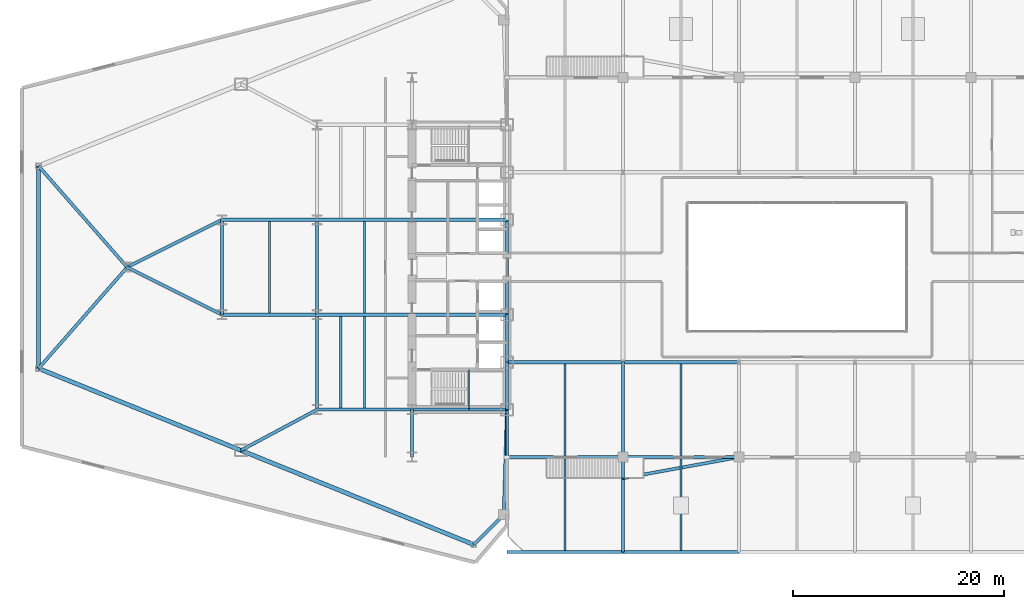
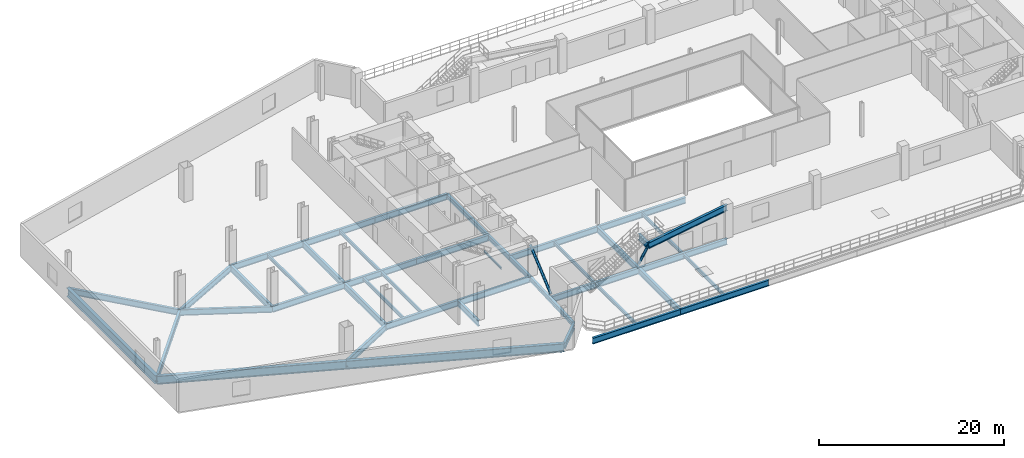
# One storey, part 9 of 27: 44 beams, 2 members.
"""IFC4 building model written with IfcOpenShell, lengths in metres."""

from ifc_helpers import new_model, si_unit, direction, frame, origin, origin_2d, place, context, subcontext, project, spatial, hollow_circle, i_section, extrude, source, transform, mapped, material, material_profile, profile_set, type_object, type_shapes, element, save


model = new_model("IFC4")

# Units and contexts
model_context = context("Model", 3, precision=1e-05, world=origin(), true_north=direction((0.0, 1.0)))
body_context = subcontext(model_context, "Body", "Model", "MODEL_VIEW")
ifc_project = project(units=[si_unit("LENGTHUNIT", "METRE"), si_unit("AREAUNIT", "SQUARE_METRE"), si_unit("VOLUMEUNIT", "CUBIC_METRE"), si_unit("PLANEANGLEUNIT", "RADIAN"), si_unit("MASSUNIT", "GRAM", prefix="KILO")], contexts=[model_context])

# Site, building, storey
site_placement = place(None, origin())
site = spatial("IfcSite", under=ifc_project, at=site_placement, CompositionType="ELEMENT")
building_placement = place(site_placement, origin())
building = spatial("IfcBuilding", under=site, at=building_placement, Name="Seokmaru Belvedere", CompositionType="ELEMENT")
storey_placement = place(building_placement, frame((0.0, 0.0, 9.89990234375)))
storey = spatial("IfcBuildingStorey", under=building, at=storey_placement, Name="L02", CompositionType="ELEMENT", Elevation=9.89990234375)

# Beams
ifc_material = material(Name="Steel SM355 (355 MPa)", Category="steel")
ifc_material_profile_1 = material_profile(ifc_material, i_section(OverallWidth=0.300048828125, OverallDepth=0.587890625, WebThickness=0.011962890625, FlangeThickness=0.02001953125, at=origin_2d()), Name="H-588x300x12x20")
ifc_profile_set_1 = profile_set([ifc_material_profile_1], Name="Steel SM355 (355 MPa)")
beam_type_1 = type_object("IfcBeamType", Name="Podium Edge Spandrel Beam H-588", PredefinedType="SPANDREL", material=ifc_profile_set_1)
shared_shape_1 = source(origin(), body_context, "Body", "SweptSolid", [
    extrude(i_section(OverallWidth=0.300048828125, OverallDepth=0.587890625, WebThickness=0.011962890625, FlangeThickness=0.02001953125, at=origin_2d()), origin(), (0.0, 0.0, 1.0), 4.5),
])
for number, where, z_axis, x_axis, name in (
    (1, (-27.5, -13.5, -0.573974609375), (0.0, 1.0, 0.0), (-1.0, 0.0, 0.0), "L02 W Portal Spine Spandrel 1"),
    (2, (-27.5, -9.0, -0.573974609375), (0.0, 1.0, 0.0), (-1.0, 0.0, 0.0), "L02 W Portal Spine Spandrel 2"),
):
    element("IfcBeam", number, at=place(storey_placement, frame(where, z_axis=z_axis, x_axis=x_axis)), inside=storey, type_object=beam_type_1, Name=name, PredefinedType="SPANDREL", context=body_context, shape_type="MappedRepresentation", body=[
        mapped(shared_shape_1, transform((0.0, 0.0, 0.0), scale=1.0)),
    ])
shared_shape_2 = source(origin(), body_context, "Body", "SweptSolid", [
    extrude(i_section(OverallWidth=0.300048828125, OverallDepth=0.587890625, WebThickness=0.011962890625, FlangeThickness=0.02001953125, at=origin_2d()), origin(), (0.0, 0.0, 1.0), 9.0),
])
beam_1_placement = place(storey_placement, frame((-27.5, -4.5, -0.573974609375), z_axis=(0.0, 1.0, 0.0), x_axis=(-1.0, 0.0, 0.0)))
element("IfcBeam", 3, at=beam_1_placement, inside=storey, type_object=beam_type_1, Name="L02 W Portal Spine Spandrel 3", PredefinedType="SPANDREL", context=body_context, shape_type="MappedRepresentation", body=[
    mapped(shared_shape_2, transform((0.0, 0.0, 0.0), scale=1.0)),
])
ifc_material_profile_2 = material_profile(ifc_material, i_section(OverallWidth=0.39990234375, OverallDepth=1.10009765625, WebThickness=0.02001953125, FlangeThickness=0.033935546875, at=origin_2d()), Name="BH-1100x400x20x34")
ifc_profile_set_2 = profile_set([ifc_material_profile_2], Name="Steel SM355 (355 MPa)")
beam_type_2 = type_object("IfcBeamType", Name="Sky-Gate Transverse Girder BH-1100", PredefinedType="BEAM", material=ifc_profile_set_2)
shared_shape_3 = source(origin(), body_context, "Body", "SweptSolid", [
    extrude(i_section(OverallWidth=0.39990234375, OverallDepth=1.10009765625, WebThickness=0.02001953125, FlangeThickness=0.033935546875, at=origin_2d()), origin(), (0.0, 0.0, 1.0), 23.811767578125),
])
beam_2_placement = place(storey_placement, frame((-30.643310546875, -26.294677734375, -0.829833984375), z_axis=(-0.92694579442, 0.375195274766, 0.0), x_axis=(-0.375195274766, -0.92694579442, 0.0)))
element("IfcBeam", 4, at=beam_2_placement, inside=storey, type_object=beam_type_2, Name="L02 W Podium Long-Span Flank Girder S-1", PredefinedType="BEAM", context=body_context, shape_type="MappedRepresentation", body=[
    mapped(shared_shape_3, transform((0.0, 0.0, 0.0), scale=1.0)),
])
shared_shape_4 = source(origin(), body_context, "Body", "SweptSolid", [
    extrude(i_section(OverallWidth=0.39990234375, OverallDepth=1.10009765625, WebThickness=0.02001953125, FlangeThickness=0.033935546875, at=origin_2d()), origin(), (0.0, 0.0, 1.0), 20.6962890625),
])
beam_3_placement = place(storey_placement, frame((-52.715576171875, -17.360595703125, -0.829833984375), z_axis=(-0.92695003666, 0.37518479385, 0.0), x_axis=(-0.37518479385, -0.92695003666, 0.0)))
element("IfcBeam", 5, at=beam_3_placement, inside=storey, type_object=beam_type_2, Name="L02 W Podium Long-Span Flank Girder S-2", PredefinedType="BEAM", context=body_context, shape_type="MappedRepresentation", body=[
    mapped(shared_shape_4, transform((0.0, 0.0, 0.0), scale=1.0)),
])
shared_shape_5 = source(origin(), body_context, "Body", "SweptSolid", [
    extrude(i_section(OverallWidth=0.39990234375, OverallDepth=1.10009765625, WebThickness=0.02001953125, FlangeThickness=0.033935546875, at=origin_2d()), origin(), (0.0, 0.0, 1.0), 19.19140625),
])
type_shapes(beam_type_2, [shared_shape_3, shared_shape_4, shared_shape_5])
beam_4_placement = place(storey_placement, frame((-71.89990234375, -9.595703125, -0.829833984375), z_axis=(0.0, 1.0, 0.0), x_axis=(-1.0, 0.0, 0.0)))
element("IfcBeam", 6, at=beam_4_placement, inside=storey, type_object=beam_type_2, Name="L02 W Podium Long-Span Apex Girder", PredefinedType="BEAM", context=body_context, shape_type="MappedRepresentation", body=[
    mapped(shared_shape_5, transform((0.0, 0.0, 0.0), scale=1.0)),
])
shared_shape_6 = source(origin(), body_context, "Body", "SweptSolid", [
    extrude(i_section(OverallWidth=0.300048828125, OverallDepth=0.587890625, WebThickness=0.011962890625, FlangeThickness=0.02001953125, at=origin_2d()), origin(), (0.0, 0.0, 1.0), 9.9560546875),
])
type_shapes(beam_type_1, [shared_shape_1, shared_shape_2, shared_shape_6])
beam_5_placement = place(storey_placement, frame((-27.800048828125, -23.451416015625, -0.573974609375), z_axis=(0.030137674137, 0.999545757131, 0.0), x_axis=(-0.999545757131, 0.030137674137, 0.0)))
element("IfcBeam", 7, at=beam_5_placement, inside=storey, type_object=beam_type_1, Name="L02 W Podium Spine Shoulder Tie S", PredefinedType="SPANDREL", context=body_context, shape_type="MappedRepresentation", body=[
    mapped(shared_shape_6, transform((0.0, 0.0, 0.0), scale=1.0)),
])
ifc_material_profile_3 = material_profile(ifc_material, i_section(OverallWidth=0.300048828125, OverallDepth=0.800048828125, WebThickness=0.013916015625, FlangeThickness=0.02587890625, at=origin_2d()), Name="H-800x300x14x26")
ifc_profile_set_3 = profile_set([ifc_material_profile_3], Name="Steel SM355 (355 MPa)")
beam_type_3 = type_object("IfcBeamType", Name="Podium Primary Girder H-800", PredefinedType="BEAM", material=ifc_profile_set_3)
shared_shape_7 = source(origin(), body_context, "Body", "SweptSolid", [
    extrude(i_section(OverallWidth=0.300048828125, OverallDepth=0.800048828125, WebThickness=0.013916015625, FlangeThickness=0.02587890625, at=origin_2d()), origin(), (0.0, 0.0, 1.0), 4.5),
])
beam_6_placement = place(storey_placement, frame((-36.5, -18.0, -0.679931640625), z_axis=(0.0, 1.0, 0.0), x_axis=(-1.0, 0.0, 0.0)))
element("IfcBeam", 8, at=beam_6_placement, inside=storey, type_object=beam_type_3, Name="L02 W Core Shoulder Girder S", PredefinedType="BEAM", context=body_context, shape_type="MappedRepresentation", body=[
    mapped(shared_shape_7, transform((0.0, 0.0, 0.0), scale=1.0)),
])
shared_shape_8 = source(origin(), body_context, "Body", "SweptSolid", [
    extrude(i_section(OverallWidth=0.300048828125, OverallDepth=0.800048828125, WebThickness=0.013916015625, FlangeThickness=0.02587890625, at=origin_2d()), origin(), (0.0, 0.0, 1.0), 9.0),
])
for number, where, z_axis, x_axis, name in (
    (9, (-45.5, -13.5, -0.679931640625), (0.0, 1.0, 0.0), (-1.0, 0.0, 0.0), "L02 W Interior Grid Girder 1"),
    (10, (-45.5, -4.5, -0.679931640625), (0.0, 1.0, 0.0), (-1.0, 0.0, 0.0), "L02 W Interior Grid Girder 2"),
    (11, (-36.5, -13.5, -0.679931640625), (1.0, 0.0, 0.0), (0.0, 1.0, 0.0), "L02 W Core Tie Girder 1"),
    (12, (-45.5, -13.5, -0.679931640625), (1.0, 0.0, 0.0), (0.0, 1.0, 0.0), "L02 W Wing Primary Girder 1"),
    (13, (-36.5, -4.5, -0.679931640625), (1.0, 0.0, 0.0), (0.0, 1.0, 0.0), "L02 W Core Tie Girder 2"),
    (14, (-45.5, -4.5, -0.679931640625), (1.0, 0.0, 0.0), (0.0, 1.0, 0.0), "L02 W Wing Primary Girder 2"),
    (15, (-36.5, 4.5, -0.679931640625), (1.0, 0.0, 0.0), (0.0, 1.0, 0.0), "L02 W Core Tie Girder 3"),
    (16, (-45.5, 4.5, -0.679931640625), (1.0, 0.0, 0.0), (0.0, 1.0, 0.0), "L02 W Wing Primary Girder 3"),
    (17, (-54.5, -4.5, -0.679931640625), (1.0, 0.0, 0.0), (0.0, 1.0, 0.0), "L02 W Outer Wing Girder 1"),
    (18, (-54.5, 4.5, -0.679931640625), (1.0, 0.0, 0.0), (0.0, 1.0, 0.0), "L02 W Outer Wing Girder 2"),
    (19, (-54.5, -4.5, -0.679931640625), (0.0, 1.0, 0.0), (-1.0, 0.0, 0.0), "L02 W Apex Frame Girder"),
    (20, (-16.5, -27.0, -0.679931640625), (0.0, 1.0, 0.0), (-1.0, 0.0, 0.0), "L02 Central Podium Transverse Girder 1-1"),
    (21, (-16.5, -18.0, -0.679931640625), (0.0, 1.0, 0.0), (-1.0, 0.0, 0.0), "L02 Central Podium Transverse Girder 1-2"),
):
    element("IfcBeam", number, at=place(storey_placement, frame(where, z_axis=z_axis, x_axis=x_axis)), inside=storey, type_object=beam_type_3, Name=name, PredefinedType="BEAM", context=body_context, shape_type="MappedRepresentation", body=[
        mapped(shared_shape_8, transform((0.0, 0.0, 0.0), scale=1.0)),
    ])
shared_shape_9 = source(origin(), body_context, "Body", "SweptSolid", [
    extrude(i_section(OverallWidth=0.300048828125, OverallDepth=0.800048828125, WebThickness=0.013916015625, FlangeThickness=0.02587890625, at=origin_2d()), origin(), (0.0, 0.0, 1.0), 10.062255859375),
])
for number, where, z_axis, x_axis, name in (
    (22, (-54.5, -4.5, -0.679931640625), (-0.894427191, 0.4472135955, 0.0), (-0.4472135955, -0.894427191, 0.0), "L02 W Apex Converging Girder 1"),
    (23, (-54.5, 4.5, -0.679931640625), (-0.894427191, -0.4472135955, 0.0), (0.4472135955, -0.894427191, 0.0), "L02 W Apex Converging Girder 2"),
):
    element("IfcBeam", number, at=place(storey_placement, frame(where, z_axis=z_axis, x_axis=x_axis)), inside=storey, type_object=beam_type_3, Name=name, PredefinedType="BEAM", context=body_context, shape_type="MappedRepresentation", body=[
        mapped(shared_shape_9, transform((0.0, 0.0, 0.0), scale=1.0)),
    ])
ifc_material_profile_4 = material_profile(ifc_material, i_section(OverallWidth=0.199951171875, OverallDepth=0.449951171875, WebThickness=0.009033203125, FlangeThickness=0.013916015625, at=origin_2d()), Name="H-450x200x9x14")
ifc_profile_set_4 = profile_set([ifc_material_profile_4], Name="Steel SM355 (355 MPa)")
beam_type_4 = type_object("IfcBeamType", Name="Podium Secondary Joist H-450", PredefinedType="JOIST", material=ifc_profile_set_4)
shared_shape_10 = source(origin(), body_context, "Body", "SweptSolid", [
    extrude(i_section(OverallWidth=0.199951171875, OverallDepth=0.449951171875, WebThickness=0.009033203125, FlangeThickness=0.013916015625, at=origin_2d()), origin(), (0.0, 0.0, 1.0), 8.68994140625),
])
type_shapes(beam_type_4, [shared_shape_10])
for number, where, z_axis, x_axis, name in (
    (24, (-43.25, -13.344970703125, -0.5048828125), (0.0, 1.0, 0.0), (-1.0, 0.0, 0.0), "L02 W Wing Inner Secondary Joist 1"),
    (25, (-41.0, -13.344970703125, -0.5048828125), (0.0, 1.0, 0.0), (-1.0, 0.0, 0.0), "L02 W Secondary Floor Joist 1"),
    (26, (-41.0, -4.344970703125, -0.5048828125), (0.0, 1.0, 0.0), (-1.0, 0.0, 0.0), "L02 W Secondary Floor Joist 2"),
    (27, (-50.0, -4.344970703125, -0.5048828125), (0.0, 1.0, 0.0), (-1.0, 0.0, 0.0), "L02 W Outer Bay Secondary Joist"),
    (28, (-22.0, -26.844970703125, -0.5048828125), (0.0, 1.0, 0.0), (-1.0, 0.0, 0.0), "L02 Central Podium Secondary Joist 1-1"),
    (29, (-22.0, -17.844970703125, -0.5048828125), (0.0, 1.0, 0.0), (-1.0, 0.0, 0.0), "L02 Central Podium Secondary Joist 1-2"),
    (30, (-11.0, -26.844970703125, -0.5048828125), (0.0, 1.0, 0.0), (-1.0, 0.0, 0.0), "L02 Central Podium Secondary Joist 2-1"),
    (31, (-11.0, -17.844970703125, -0.5048828125), (0.0, 1.0, 0.0), (-1.0, 0.0, 0.0), "L02 Central Podium Secondary Joist 2-2"),
):
    element("IfcBeam", number, at=place(storey_placement, frame(where, z_axis=z_axis, x_axis=x_axis)), inside=storey, type_object=beam_type_4, Name=name, PredefinedType="JOIST", context=body_context, shape_type="MappedRepresentation", body=[
        mapped(shared_shape_10, transform((0.0, 0.0, 0.0), scale=1.0)),
    ])
shared_shape_11 = source(origin(), body_context, "Body", "SweptSolid", [
    extrude(i_section(OverallWidth=0.300048828125, OverallDepth=0.800048828125, WebThickness=0.013916015625, FlangeThickness=0.02587890625, at=origin_2d()), origin(), (0.0, 0.0, 1.0), 4.02099609375),
])
beam_7_placement = place(storey_placement, frame((-30.643310546875, -26.294677734375, -0.679931640625), z_axis=(0.707106781187, 0.707106781187, 0.0), x_axis=(-0.707106781187, 0.707106781187, 0.0)))
element("IfcBeam", 32, at=beam_7_placement, inside=storey, type_object=beam_type_3, Name="L02 W Podium South Shoulder Girder", PredefinedType="BEAM", context=body_context, shape_type="MappedRepresentation", body=[
    mapped(shared_shape_11, transform((0.0, 0.0, 0.0), scale=1.0)),
])
shared_shape_12 = source(origin(), body_context, "Body", "SweptSolid", [
    extrude(i_section(OverallWidth=0.300048828125, OverallDepth=0.800048828125, WebThickness=0.013916015625, FlangeThickness=0.02587890625, at=origin_2d()), origin(), (0.0, 0.0, 1.0), 8.183349609375),
])
beam_8_placement = place(storey_placement, frame((-52.715576171875, -17.360595703125, -0.679931640625), z_axis=(0.881728657166, 0.47175690258, 0.0), x_axis=(-0.47175690258, 0.881728657166, 0.0)))
element("IfcBeam", 33, at=beam_8_placement, inside=storey, type_object=beam_type_3, Name="L02 W Flank Radial Floor Girder S-2", PredefinedType="BEAM", context=body_context, shape_type="MappedRepresentation", body=[
    mapped(shared_shape_12, transform((0.0, 0.0, 0.0), scale=1.0)),
])
shared_shape_13 = source(origin(), body_context, "Body", "SweptSolid", [
    extrude(i_section(OverallWidth=0.300048828125, OverallDepth=0.800048828125, WebThickness=0.013916015625, FlangeThickness=0.02587890625, at=origin_2d()), origin(), (0.0, 0.0, 1.0), 12.7529296875),
])
for number, where, z_axis, x_axis, name in (
    (34, (-71.89990234375, -9.595703125, -0.679931640625), (0.658667231479, 0.752434368019, 0.0), (-0.752434368019, 0.658667231479, 0.0), "L02 W Apex Radial Floor Girder 1"),
    (35, (-71.89990234375, 9.595703125, -0.679931640625), (0.658667231479, -0.752434368019, 0.0), (0.752434368019, 0.658667231479, 0.0), "L02 W Apex Radial Floor Girder 2"),
):
    element("IfcBeam", number, at=place(storey_placement, frame(where, z_axis=z_axis, x_axis=x_axis)), inside=storey, type_object=beam_type_3, Name=name, PredefinedType="BEAM", context=body_context, shape_type="MappedRepresentation", body=[
        mapped(shared_shape_13, transform((0.0, 0.0, 0.0), scale=1.0)),
    ])
shared_shape_14 = source(origin(), body_context, "Body", "SweptSolid", [
    extrude(i_section(OverallWidth=0.300048828125, OverallDepth=0.800048828125, WebThickness=0.013916015625, FlangeThickness=0.02587890625, at=origin_2d()), origin(), (0.0, 0.0, 1.0), 11.0),
])
for number, where, z_axis, x_axis, name in (
    (36, (-27.5, -27.0, -0.679931640625), (1.0, 0.0, 0.0), (0.0, 1.0, 0.0), "L02 Central Podium Girder 1-1"),
    (37, (-16.5, -27.0, -0.679931640625), (1.0, 0.0, 0.0), (0.0, 1.0, 0.0), "L02 Central Podium Girder 1-2"),
    (38, (-27.5, -18.0, -0.679931640625), (1.0, 0.0, 0.0), (0.0, 1.0, 0.0), "L02 Central Podium Girder 2-1"),
    (39, (-16.5, -18.0, -0.679931640625), (1.0, 0.0, 0.0), (0.0, 1.0, 0.0), "L02 Central Podium Girder 2-2"),
    (40, (-27.5, -9.0, -0.679931640625), (1.0, 0.0, 0.0), (0.0, 1.0, 0.0), "L02 Central Podium Girder 3-1"),
    (41, (-16.5, -9.0, -0.679931640625), (1.0, 0.0, 0.0), (0.0, 1.0, 0.0), "L02 Central Podium Girder 3-2"),
):
    element("IfcBeam", number, at=place(storey_placement, frame(where, z_axis=z_axis, x_axis=x_axis)), inside=storey, type_object=beam_type_3, Name=name, PredefinedType="BEAM", context=body_context, shape_type="MappedRepresentation", body=[
        mapped(shared_shape_14, transform((0.0, 0.0, 0.0), scale=1.0)),
    ])

# Member
ifc_material_profile_5 = material_profile(ifc_material, hollow_circle(Radius=0.1591796875, WallThickness=0.01025390625, at=origin_2d()), Name="CHS-318.5x10.3")
ifc_profile_set_5 = profile_set([ifc_material_profile_5], Name="Steel SM355 (355 MPa)")
member_type = type_object("IfcMemberType", Name="Podium Portal Wind Brace CHS-318", PredefinedType="BRACE", material=ifc_profile_set_5)
shared_shape_15 = source(origin(), body_context, "Body", "SweptSolid", [
    extrude(hollow_circle(Radius=0.1591796875, WallThickness=0.01025390625, at=origin_2d()), origin(), (0.0, 0.0, 1.0), 5.90283203125),
])
member_1_placement = place(storey_placement, frame((-27.5, -18.0, 0.0), z_axis=(0.0, 0.76235144486, 0.64716325183), x_axis=(-1.0, 0.0, 0.0)))
element("IfcMember", 42, at=member_1_placement, inside=storey, type_object=member_type, Name="L02 Podium Portal Wind Brace WS", PredefinedType="BRACE", context=body_context, shape_type="MappedRepresentation", body=[
    mapped(shared_shape_15, transform((0.0, 0.0, 0.0), scale=1.0)),
])

# Beams
ifc_material_profile_6 = material_profile(ifc_material, i_section(OverallWidth=0.125, OverallDepth=0.25, WebThickness=0.006103515625, FlangeThickness=0.009033203125, at=origin_2d()), Name="H-250x125x6x9")
ifc_profile_set_6 = profile_set([ifc_material_profile_6], Name="Steel SM355 (355 MPa)")
beam_type_5 = type_object("IfcBeamType", Name="Stair Mid-Landing Support Beam H-250", PredefinedType="JOIST", material=ifc_profile_set_6)
shared_shape_16 = source(origin(), body_context, "Body", "SweptSolid", [
    extrude(i_section(OverallWidth=0.125, OverallDepth=0.25, WebThickness=0.006103515625, FlangeThickness=0.009033203125, at=origin_2d()), origin(), (0.0, 0.0, 1.0), 3.800048828125),
])
type_shapes(beam_type_5, [shared_shape_16])
beam_9_placement = place(storey_placement, frame((-31.090087890625, -13.5, 1.925048828125), z_axis=(0.0, 1.0, 0.0), x_axis=(-1.0, 0.0, 0.0)))
element("IfcBeam", 43, at=beam_9_placement, inside=storey, type_object=beam_type_5, Name="L02 Stair ST-W1 Mid-Landing Support Beam 1", PredefinedType="JOIST", context=body_context, shape_type="MappedRepresentation", body=[
    mapped(shared_shape_16, transform((0.0, 0.0, 0.0), scale=1.0)),
])
shared_shape_17 = source(origin(), body_context, "Body", "SweptSolid", [
    extrude(i_section(OverallWidth=0.300048828125, OverallDepth=0.800048828125, WebThickness=0.013916015625, FlangeThickness=0.02587890625, at=origin_2d()), origin(), (0.0, 0.0, 1.0), 2.0),
])
beam_10_placement = place(storey_placement, frame((-16.5, -18.0, 3.820068359375), z_axis=(0.0, -1.0, 0.0), x_axis=(1.0, 0.0, 0.0)))
element("IfcBeam", 44, at=beam_10_placement, inside=storey, type_object=beam_type_3, Name="L02 Terrace Stair Bracket Girder S2", PredefinedType="BEAM", context=body_context, shape_type="MappedRepresentation", body=[
    mapped(shared_shape_17, transform((0.0, 0.0, 0.0), scale=1.0)),
])
shared_shape_18 = source(origin(), body_context, "Body", "SweptSolid", [
    extrude(i_section(OverallWidth=0.300048828125, OverallDepth=0.800048828125, WebThickness=0.013916015625, FlangeThickness=0.02587890625, at=origin_2d()), origin(), (0.0, 0.0, 1.0), 11.180419921875),
])
type_shapes(beam_type_3, [shared_shape_7, shared_shape_8, shared_shape_9, shared_shape_11, shared_shape_12, shared_shape_13, shared_shape_14, shared_shape_17, shared_shape_18])
beam_11_placement = place(storey_placement, frame((-16.5, -20.0, 3.820068359375), z_axis=(0.9838699101, 0.1788854382, 0.0), x_axis=(-0.1788854382, 0.9838699101, 0.0)))
element("IfcBeam", 45, at=beam_11_placement, inside=storey, type_object=beam_type_3, Name="L02 Terrace Stair Diagonal Support Girder S2", PredefinedType="BEAM", context=body_context, shape_type="MappedRepresentation", body=[
    mapped(shared_shape_18, transform((0.0, 0.0, 0.0), scale=1.0)),
])

# Member
shared_shape_19 = source(origin(), body_context, "Body", "SweptSolid", [
    extrude(hollow_circle(Radius=0.1591796875, WallThickness=0.01025390625, at=origin_2d()), origin(), (0.0, 0.0, 1.0), 4.092041015625),
])
type_shapes(member_type, [shared_shape_15, shared_shape_19])
member_2_placement = place(storey_placement, frame((-16.5, -18.0, 0.25), z_axis=(0.0, -0.488745067071, 0.872426649876), x_axis=(1.0, 0.0, 0.0)))
element("IfcMember", 46, at=member_2_placement, inside=storey, type_object=member_type, Name="L02 Terrace Stair Knee Brace S2", PredefinedType="BRACE", context=body_context, shape_type="MappedRepresentation", body=[
    mapped(shared_shape_19, transform((0.0, 0.0, 0.0), scale=1.0)),
])

save(model, "model.ifc")
